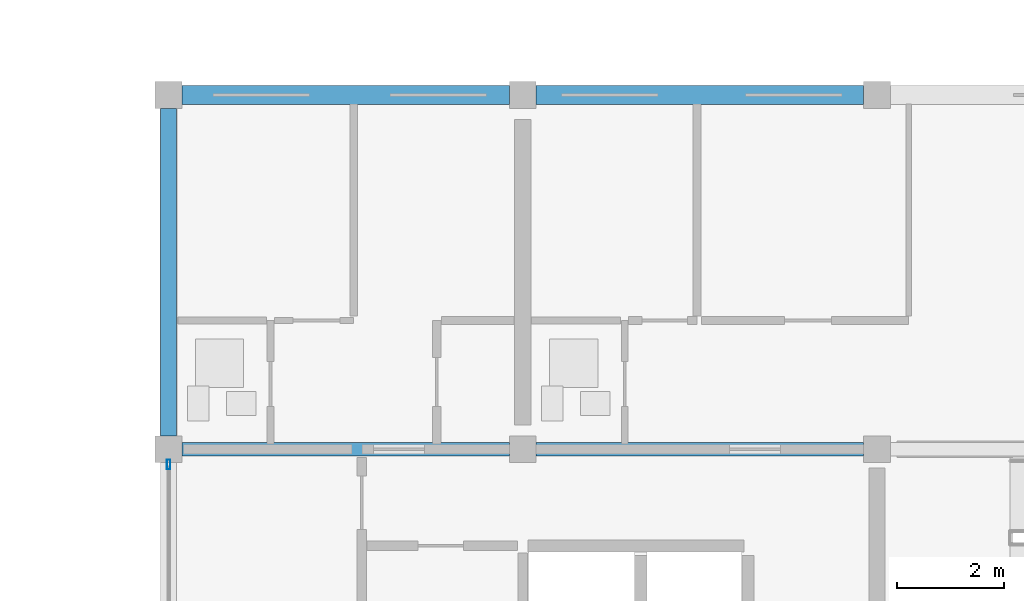
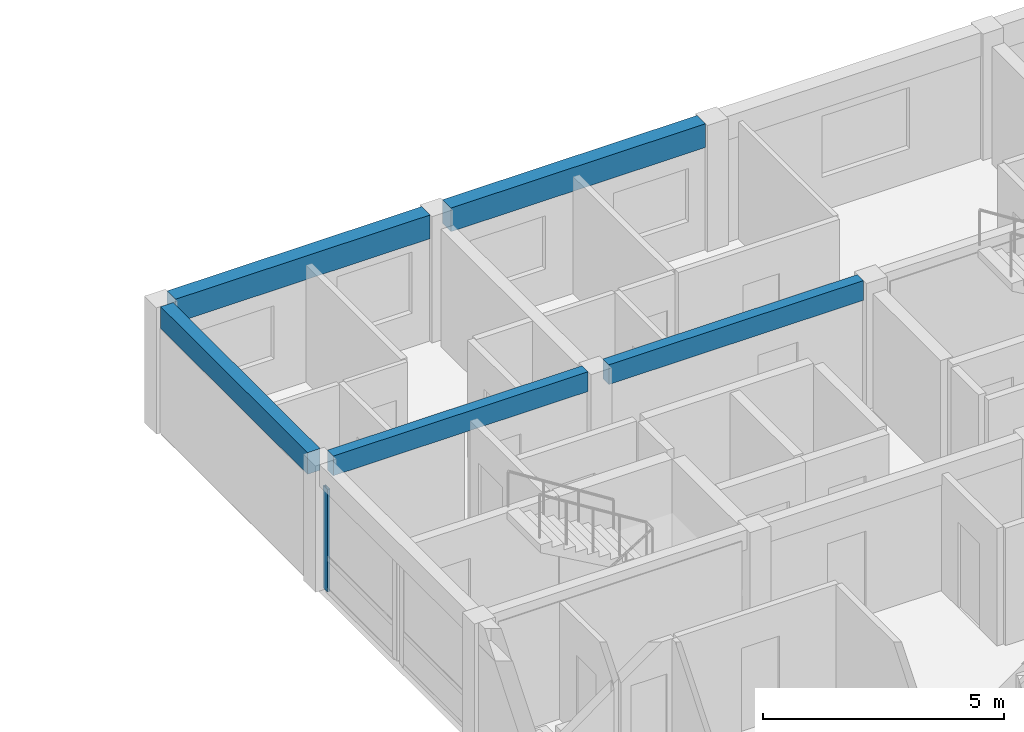
# One storey, part 21 of 53: 5 beams, 1 member, 1 element without a shape of its own.
"""IFC4 building model written with IfcOpenShell, lengths in metres."""

from ifc_helpers import new_model, si_unit, direction, frame, origin, origin_2d, place, context, subcontext, project, spatial, rectangle, hollow_rectangle, extrude, material, material_profile, profile_set, type_object, element, aggregate, save


model = new_model("IFC4")

# Units and contexts
model_context = context("Model", 3, precision=1e-05, world=origin(), true_north=direction((0.0, 1.0)))
body_context = subcontext(model_context, "Body", "Model", "MODEL_VIEW")
ifc_project = project(units=[si_unit("LENGTHUNIT", "METRE"), si_unit("AREAUNIT", "SQUARE_METRE"), si_unit("VOLUMEUNIT", "CUBIC_METRE"), si_unit("PLANEANGLEUNIT", "RADIAN"), si_unit("MASSUNIT", "GRAM", prefix="KILO")], contexts=[model_context])

# Site, building, storey
site_placement = place(None, origin())
site = spatial("IfcSite", under=ifc_project, at=site_placement, CompositionType="ELEMENT")
building_placement = place(site_placement, origin())
building = spatial("IfcBuilding", under=site, at=building_placement, Name="Kernevlak Ridge Housing Community", CompositionType="ELEMENT")
storey_placement = place(building_placement, frame((0.0, 0.0, 24.39990234375)))
storey = spatial("IfcBuildingStorey", under=building, at=storey_placement, Name="L07", CompositionType="ELEMENT", Elevation=24.39990234375)

# Beams
ifc_material_1 = material(Name="Concrete C35/45", Category="concrete")
ifc_material_profile_1 = material_profile(ifc_material_1, rectangle(XDim=0.25, YDim=0.5, at=origin_2d()), Name="RC 250x500")
ifc_profile_set_1 = profile_set([ifc_material_profile_1], Name="Concrete C35/45")
beam_type_1 = type_object("IfcBeamType", Name="B-06", PredefinedType="T_BEAM", material=ifc_profile_set_1)
for number, where, z_axis, x_axis, name in (
    (1, (119.64990234375, 95.800048828125, 2.9501953125), (1.0, 0.0, 0.0), (0.0, 1.0, 0.0), "Beam B-06 L07 769"),
    (2, (126.25, 95.800048828125, 2.9501953125), (1.0, 0.0, 0.0), (0.0, 1.0, 0.0), "Beam B-06 L07 770"),
):
    element("IfcBeam", number, at=place(storey_placement, frame(where, z_axis=z_axis, x_axis=x_axis)), inside=storey, type_object=beam_type_1, Name=name, PredefinedType="T_BEAM", context=body_context, shape_type="SweptSolid", body=[
        extrude(rectangle(XDim=0.25, YDim=0.5, at=origin_2d()), origin(), (0.0, 0.0, 1.0), 6.10009765625),
    ])

# Curtain wall, member
ifc_material_2 = material(Name="Aluminium EN AW-6060 anodised and laminated glass", Category="aluminium")
curtain_wall_type = type_object("IfcCurtainWallType", Name="CW-11", PredefinedType="NOTDEFINED", material=ifc_material_2)
curtain_wall_placement = place(storey_placement, origin())
curtain_wall = element("IfcCurtainWall", 3, at=curtain_wall_placement, inside=storey, type_object=curtain_wall_type, Name="Curtain wall CW-11 CW-L07-077", PredefinedType="NOTDEFINED")
ifc_material_3 = material(Name="Aluminium EN AW-6060 anodised", Category="aluminium")
ifc_material_profile_2 = material_profile(ifc_material_3, hollow_rectangle(XDim=0.06494140625, YDim=0.179931640625, WallThickness=0.00439453125, InnerFilletRadius=0.001953125, OuterFilletRadius=0.00439453125, at=origin_2d()), Name="ALU 65x180x4.5")
ifc_profile_set_2 = profile_set([ifc_material_profile_2], Name="Aluminium EN AW-6060 anodised")
member_type = type_object("IfcMemberType", Name="MU-03", PredefinedType="MULLION", material=ifc_profile_set_2)
member_placement = place(storey_placement, frame((119.39990234375, 95.517578125, 0.0), z_axis=(0.0, 0.0, 1.0), x_axis=(-1.0, 0.0, 0.0)))
member = element("IfcMember", 4, at=member_placement, type_object=member_type, Name="CW-11 mullion 2", PredefinedType="MULLION", context=body_context, shape_type="SweptSolid", body=[
    extrude(hollow_rectangle(XDim=0.06494140625, YDim=0.179931640625, WallThickness=0.00439453125, InnerFilletRadius=0.001953125, OuterFilletRadius=0.00439453125, at=origin_2d()), origin(), (0.0, 0.0, 1.0), 2.60009765625),
])
aggregate(curtain_wall, [member])

# Beams
ifc_material_profile_3 = material_profile(ifc_material_1, rectangle(XDim=0.300048828125, YDim=0.550048828125, at=origin_2d()), Name="RC 300x550")
ifc_profile_set_3 = profile_set([ifc_material_profile_3], Name="Concrete C35/45")
beam_type_2 = type_object("IfcBeamType", Name="SP-01", PredefinedType="SPANDREL", material=ifc_profile_set_3)
beam_placement = place(storey_placement, frame((119.39990234375, 96.050048828125, 2.925048828125), z_axis=(0.0, 1.0, 0.0), x_axis=(-1.0, 0.0, 0.0)))
element("IfcBeam", 5, at=beam_placement, inside=storey, type_object=beam_type_2, Name="Beam SP-01 L07 781", PredefinedType="SPANDREL", context=body_context, shape_type="SweptSolid", body=[
    extrude(rectangle(XDim=0.300048828125, YDim=0.550048828125, at=origin_2d()), origin(), (0.0, 0.0, 1.0), 6.099853515625),
])
ifc_material_profile_4 = material_profile(ifc_material_1, rectangle(XDim=0.35009765625, YDim=0.60009765625, at=origin_2d()), Name="RC 350x600")
ifc_profile_set_4 = profile_set([ifc_material_profile_4], Name="Concrete C35/45")
beam_type_3 = type_object("IfcBeamType", Name="SP-03", PredefinedType="SPANDREL", material=ifc_profile_set_4)
for number, where, z_axis, x_axis, name in (
    (6, (119.64990234375, 102.39990234375, 2.900146484375), (1.0, 0.0, 0.0), (0.0, 1.0, 0.0), "Beam SP-03 L07 774"),
    (7, (126.25, 102.39990234375, 2.900146484375), (1.0, 0.0, 0.0), (0.0, 1.0, 0.0), "Beam SP-03 L07 775"),
):
    element("IfcBeam", number, at=place(storey_placement, frame(where, z_axis=z_axis, x_axis=x_axis)), inside=storey, type_object=beam_type_3, Name=name, PredefinedType="SPANDREL", context=body_context, shape_type="SweptSolid", body=[
        extrude(rectangle(XDim=0.35009765625, YDim=0.60009765625, at=origin_2d()), origin(), (0.0, 0.0, 1.0), 6.10009765625),
    ])

save(model, "model.ifc")
